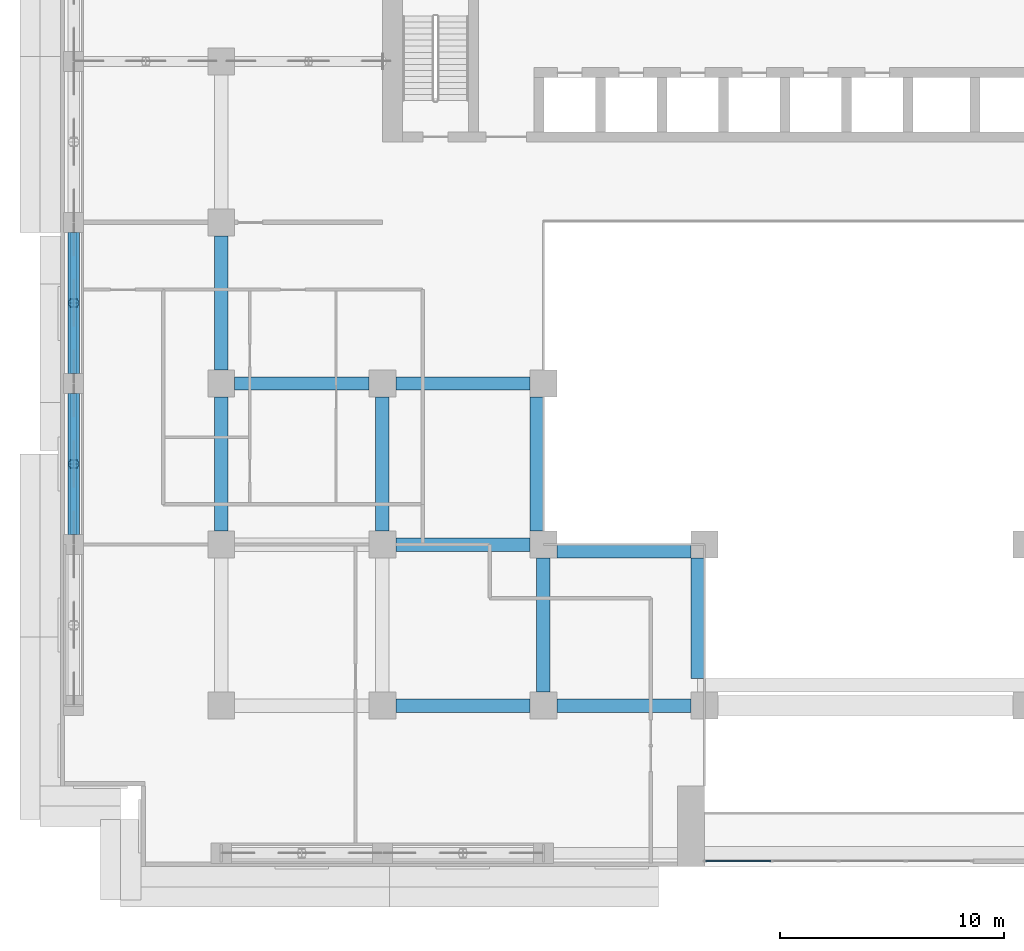
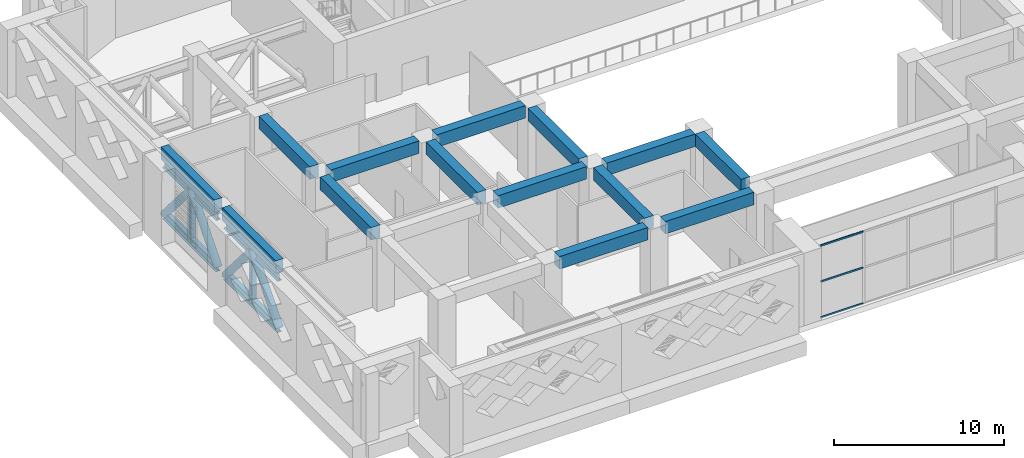
# One storey, part 3 of 19: 14 beams, 13 members, 1 element without a shape of its own.
"""IFC4 building model written with IfcOpenShell, lengths in metres."""

from ifc_helpers import new_model, si_unit, direction, frame, origin, origin_2d, place, context, subcontext, project, spatial, rectangle, hollow_circle, i_section, extrude, source, transform, mapped, material, layer, layer_set, material_profile, profile_set, type_object, element, aggregate, save


model = new_model("IFC4")

# Units and contexts
model_context = context("Model", 3, precision=1e-05, world=origin(), true_north=direction((0.0, 1.0)))
body_context = subcontext(model_context, "Body", "Model", "MODEL_VIEW")
ifc_project = project(units=[si_unit("LENGTHUNIT", "METRE"), si_unit("AREAUNIT", "SQUARE_METRE"), si_unit("VOLUMEUNIT", "CUBIC_METRE"), si_unit("PLANEANGLEUNIT", "RADIAN"), si_unit("MASSUNIT", "GRAM", prefix="KILO")], contexts=[model_context])

# Site, building, storey
site_placement = place(None, origin())
site = spatial("IfcSite", under=ifc_project, at=site_placement, CompositionType="ELEMENT")
building_placement = place(site_placement, origin())
building = spatial("IfcBuilding", under=site, at=building_placement, Name="Saffron Iwan Residences", CompositionType="ELEMENT")
storey_placement = place(building_placement, frame((0.0, 0.0, 107.5)))
storey = spatial("IfcBuildingStorey", under=building, at=storey_placement, Name="L28", CompositionType="ELEMENT", Elevation=107.5)

# Beams
ifc_material_1 = material(Name="Concrete C60/75", Category="concrete")
ifc_material_profile_1 = material_profile(ifc_material_1, rectangle(XDim=0.5, YDim=0.89990234375, at=origin_2d()), Name="RC 500x900")
ifc_profile_set_1 = profile_set([ifc_material_profile_1], Name="Concrete C60/75")
beam_type_1 = type_object("IfcBeamType", Name="SPANDREL BEAM RC 500x900 C60/75 TOP 5200", PredefinedType="SPANDREL", material=ifc_profile_set_1)
shared_shape_1 = source(origin(), body_context, "Body", "SweptSolid", [
    extrude(rectangle(XDim=0.5, YDim=0.89990234375, at=origin_2d()), origin(), (0.0, 0.0, 1.0), 6.300048828125),
])
for number, where, z_axis, x_axis, name in (
    (1, (15.0, 48.449951171875, 4.75), (0.0, 1.0, 0.0), (-1.0, 0.0, 0.0), "Spandrel beam"),
    (2, (15.0, 55.64990234375, 4.75), (0.0, 1.0, 0.0), (-1.0, 0.0, 0.0), "Spandrel beam"),
):
    element("IfcBeam", number, at=place(storey_placement, frame(where, z_axis=z_axis, x_axis=x_axis)), inside=storey, type_object=beam_type_1, Name=name, PredefinedType="SPANDREL", context=body_context, shape_type="MappedRepresentation", body=[
        mapped(shared_shape_1, transform((0.0, 0.0, 0.0))),
    ])
ifc_material_profile_2 = material_profile(ifc_material_1, rectangle(XDim=0.60009765625, YDim=0.89990234375, at=origin_2d()), Name="RC 600x900")
ifc_profile_set_2 = profile_set([ifc_material_profile_2], Name="Concrete C60/75")
beam_type_2 = type_object("IfcBeamType", Name="BEAM RC 600x900 C60/75 TOP 5200", PredefinedType="BEAM", material=ifc_profile_set_2)
shared_shape_2 = source(origin(), body_context, "Body", "SweptSolid", [
    extrude(rectangle(XDim=0.60009765625, YDim=0.89990234375, at=origin_2d()), origin(), (0.0, 0.0, 1.0), 5.39990234375),
])
beam_placement = place(storey_placement, frame((42.89990234375, 42.0, 4.75), z_axis=(0.0, 1.0, 0.0), x_axis=(-1.0, 0.0, 0.0)))
element("IfcBeam", 3, at=beam_placement, inside=storey, type_object=beam_type_2, Name="Atrium edge beam", PredefinedType="BEAM", context=body_context, shape_type="MappedRepresentation", body=[
    mapped(shared_shape_2, transform((0.0, 0.0, 0.0))),
])
shared_shape_3 = source(origin(), body_context, "Body", "SweptSolid", [
    extrude(rectangle(XDim=0.60009765625, YDim=0.89990234375, at=origin_2d()), origin(), (0.0, 0.0, 1.0), 6.0),
])
for number, where, z_axis, x_axis, name in (
    (4, (42.60009765625, 47.699951171875, 4.75), (-1.0, 0.0, 0.0), (0.0, -1.0, 0.0), "Atrium edge beam"),
    (5, (35.699951171875, 48.60009765625, 4.75), (0.0, 1.0, 0.0), (-1.0, 0.0, 0.0), "Atrium edge beam"),
    (6, (29.39990234375, 40.800048828125, 4.75), (1.0, 0.0, 0.0), (0.0, 1.0, 0.0), "Floor beam"),
    (7, (36.60009765625, 40.800048828125, 4.75), (1.0, 0.0, 0.0), (0.0, 1.0, 0.0), "Floor beam"),
    (8, (36.0, 41.39990234375, 4.75), (0.0, 1.0, 0.0), (-1.0, 0.0, 0.0), "Floor beam"),
    (9, (29.39990234375, 48.0, 4.75), (1.0, 0.0, 0.0), (0.0, 1.0, 0.0), "Floor beam"),
    (10, (21.60009765625, 48.60009765625, 4.75), (0.0, 1.0, 0.0), (-1.0, 0.0, 0.0), "Floor beam"),
    (11, (28.800048828125, 48.60009765625, 4.75), (0.0, 1.0, 0.0), (-1.0, 0.0, 0.0), "Floor beam"),
    (12, (22.199951171875, 55.199951171875, 4.75), (1.0, 0.0, 0.0), (0.0, 1.0, 0.0), "Floor beam"),
    (13, (29.39990234375, 55.199951171875, 4.75), (1.0, 0.0, 0.0), (0.0, 1.0, 0.0), "Floor beam"),
    (14, (21.60009765625, 55.800048828125, 4.75), (0.0, 1.0, 0.0), (-1.0, 0.0, 0.0), "Floor beam"),
):
    element("IfcBeam", number, at=place(storey_placement, frame(where, z_axis=z_axis, x_axis=x_axis)), inside=storey, type_object=beam_type_2, Name=name, PredefinedType="BEAM", context=body_context, shape_type="MappedRepresentation", body=[
        mapped(shared_shape_3, transform((0.0, 0.0, 0.0))),
    ])

# Members
ifc_material_2 = material(Name="Steel S355", Category="steel")
ifc_material_profile_3 = material_profile(ifc_material_2, i_section(OverallWidth=0.304931640625, OverallDepth=0.6201171875, WebThickness=0.02099609375, FlangeThickness=0.0400390625, FilletRadius=0.027099609375, at=origin_2d()), Name="HE 600 M")
ifc_profile_set_3 = profile_set([ifc_material_profile_3], Name="Steel S355")
member_type_1 = type_object("IfcMemberType", Name="BELT TRUSS CHORD HE 600 M S355", PredefinedType="CHORD", material=ifc_profile_set_3)
shared_shape_4 = source(origin(), body_context, "Body", "SweptSolid", [
    extrude(i_section(OverallWidth=0.304931640625, OverallDepth=0.6201171875, WebThickness=0.02099609375, FlangeThickness=0.0400390625, FilletRadius=0.027099609375, at=origin_2d()), origin(), (0.0, 0.0, 1.0), 6.300048828125),
])
for number, where, z_axis, x_axis, name in (
    (15, (15.0, 48.449951171875, 0.31005859375), (0.0, 1.0, 0.0), (-1.0, 0.0, 0.0), "Belt truss chord L28"),
    (16, (15.0, 48.449951171875, 3.989990234375), (0.0, 1.0, 0.0), (-1.0, 0.0, 0.0), "Belt truss chord L28"),
    (17, (15.0, 55.64990234375, 0.31005859375), (0.0, 1.0, 0.0), (-1.0, 0.0, 0.0), "Belt truss chord L28"),
    (18, (15.0, 55.64990234375, 3.989990234375), (0.0, 1.0, 0.0), (-1.0, 0.0, 0.0), "Belt truss chord L28"),
):
    element("IfcMember", number, at=place(storey_placement, frame(where, z_axis=z_axis, x_axis=x_axis)), inside=storey, type_object=member_type_1, Name=name, PredefinedType="CHORD", context=body_context, shape_type="MappedRepresentation", body=[
        mapped(shared_shape_4, transform((0.0, 0.0, 0.0))),
    ])
ifc_material_profile_4 = material_profile(ifc_material_2, hollow_circle(Radius=0.25390625, WallThickness=0.01611328125, at=origin_2d()), Name="CHS 508x16")
ifc_profile_set_4 = profile_set([ifc_material_profile_4], Name="Steel S355")
member_type_2 = type_object("IfcMemberType", Name="BELT TRUSS DIAGONAL CHS 508x16 S355", PredefinedType="BRACE", material=ifc_profile_set_4)
shared_shape_5 = source(origin(), body_context, "Body", "SweptSolid", [
    extrude(hollow_circle(Radius=0.25390625, WallThickness=0.01611328125, at=origin_2d()), origin(), (0.0, 0.0, 1.0), 4.843994140625),
])
for number, where, z_axis, x_axis, name in (
    (19, (15.0, 48.449951171875, 0.31005859375), (0.0, 0.650305625683, 0.759672688206), (-1.0, 0.0, 0.0), "Belt truss diagonal L28"),
    (20, (15.0, 51.60009765625, 3.989990234375), (0.0, 0.650276538531, -0.75969758683), (-1.0, 0.0, 0.0), "Belt truss diagonal L28"),
    (21, (15.0, 55.64990234375, 0.31005859375), (0.0, 0.650305625683, 0.759672688206), (-1.0, 0.0, 0.0), "Belt truss diagonal L28"),
    (22, (15.0, 58.800048828125, 3.989990234375), (0.0, 0.650276538531, -0.75969758683), (-1.0, 0.0, 0.0), "Belt truss diagonal L28"),
):
    element("IfcMember", number, at=place(storey_placement, frame(where, z_axis=z_axis, x_axis=x_axis)), inside=storey, type_object=member_type_2, Name=name, PredefinedType="BRACE", context=body_context, shape_type="MappedRepresentation", body=[
        mapped(shared_shape_5, transform((0.0, 0.0, 0.0))),
    ])
ifc_material_profile_5 = material_profile(ifc_material_2, i_section(OverallWidth=0.300048828125, OverallDepth=0.39990234375, WebThickness=0.013427734375, FlangeThickness=0.02392578125, FilletRadius=0.027099609375, at=origin_2d()), Name="HE 400 B")
ifc_profile_set_5 = profile_set([ifc_material_profile_5], Name="Steel S355")
member_type_3 = type_object("IfcMemberType", Name="BELT TRUSS POST HE 400 B S355", PredefinedType="POST", material=ifc_profile_set_5)
shared_shape_6 = source(origin(), body_context, "Body", "SweptSolid", [
    extrude(i_section(OverallWidth=0.300048828125, OverallDepth=0.39990234375, WebThickness=0.013427734375, FlangeThickness=0.02392578125, FilletRadius=0.027099609375, at=origin_2d()), origin(), (0.0, 0.0, 1.0), 3.679931640625),
])
for number, where, z_axis, x_axis, name in (
    (23, (15.0, 51.60009765625, 0.31005859375), (0.0, 0.0, 1.0), (1.0, 0.0, 0.0), "Belt truss post L28"),
    (24, (15.0, 58.800048828125, 0.31005859375), (0.0, 0.0, 1.0), (1.0, 0.0, 0.0), "Belt truss post L28"),
):
    element("IfcMember", number, at=place(storey_placement, frame(where, z_axis=z_axis, x_axis=x_axis)), inside=storey, type_object=member_type_3, Name=name, PredefinedType="POST", context=body_context, shape_type="MappedRepresentation", body=[
        mapped(shared_shape_6, transform((0.0, 0.0, 0.0))),
    ])

# Curtain wall, members
ifc_material_3 = material(Name="Clear glass, laminated double glazed", Category="glass")
ifc_layer = layer(ifc_material_3, 0.199951171875)
ifc_layer_set = layer_set([ifc_layer], Name="Clear glass, laminated double glazed")
curtain_wall_type = type_object("IfcCurtainWallType", Name="CW-B IWAN PORTAL", PredefinedType="NOTDEFINED", material=ifc_layer_set)
curtain_wall_placement = place(storey_placement, origin())
curtain_wall = element("IfcCurtainWall", 25, at=curtain_wall_placement, inside=storey, type_object=curtain_wall_type, Name="Iwan portal glazing L28.1", PredefinedType="NOTDEFINED")
ifc_material_4 = material(Name="Aluminium 6063-T6", Category="aluminium")
ifc_material_profile_6 = material_profile(ifc_material_4, rectangle(XDim=0.06005859375, YDim=0.1201171875, at=origin_2d()), Name="CW-B TRANSOM 60 x 120")
ifc_profile_set_6 = profile_set([ifc_material_profile_6], Name="Aluminium 6063-T6")
member_type_4 = type_object("IfcMemberType", Name="CW-B TRANSOM 60 x 120", PredefinedType="USERDEFINED", material=ifc_profile_set_6)
shared_shape_7 = source(origin(), body_context, "Body", "SweptSolid", [
    extrude(rectangle(XDim=0.06005859375, YDim=0.1201171875, at=origin_2d()), origin(), (0.0, 0.0, 1.0), 2.909912109375),
])
member_1_placement = place(storey_placement, frame((43.260009765625, 33.85009765625, 0.030029296875), z_axis=(1.0, 0.0, 0.0), x_axis=(0.0, 1.0, 0.0)))
member_1 = element("IfcMember", 26, at=member_1_placement, type_object=member_type_4, Name="CW-B transom 1.1", ObjectType="TRANSOM", PredefinedType="USERDEFINED", context=body_context, shape_type="MappedRepresentation", body=[
    mapped(shared_shape_7, transform((0.0, 0.0, 0.0))),
])
member_2_placement = place(storey_placement, frame((43.260009765625, 33.85009765625, 2.60009765625), z_axis=(1.0, 0.0, 0.0), x_axis=(0.0, 1.0, 0.0)))
member_2 = element("IfcMember", 27, at=member_2_placement, type_object=member_type_4, Name="CW-B transom 1.2", ObjectType="TRANSOM", PredefinedType="USERDEFINED", context=body_context, shape_type="MappedRepresentation", body=[
    mapped(shared_shape_7, transform((0.0, 0.0, 0.0))),
])
member_3_placement = place(storey_placement, frame((43.260009765625, 33.85009765625, 5.169921875), z_axis=(1.0, 0.0, 0.0), x_axis=(0.0, 1.0, 0.0)))
member_3 = element("IfcMember", 28, at=member_3_placement, type_object=member_type_4, Name="CW-B transom 1.3", ObjectType="TRANSOM", PredefinedType="USERDEFINED", context=body_context, shape_type="MappedRepresentation", body=[
    mapped(shared_shape_7, transform((0.0, 0.0, 0.0))),
])
aggregate(curtain_wall, [member_1, member_2, member_3])

save(model, "model.ifc")
